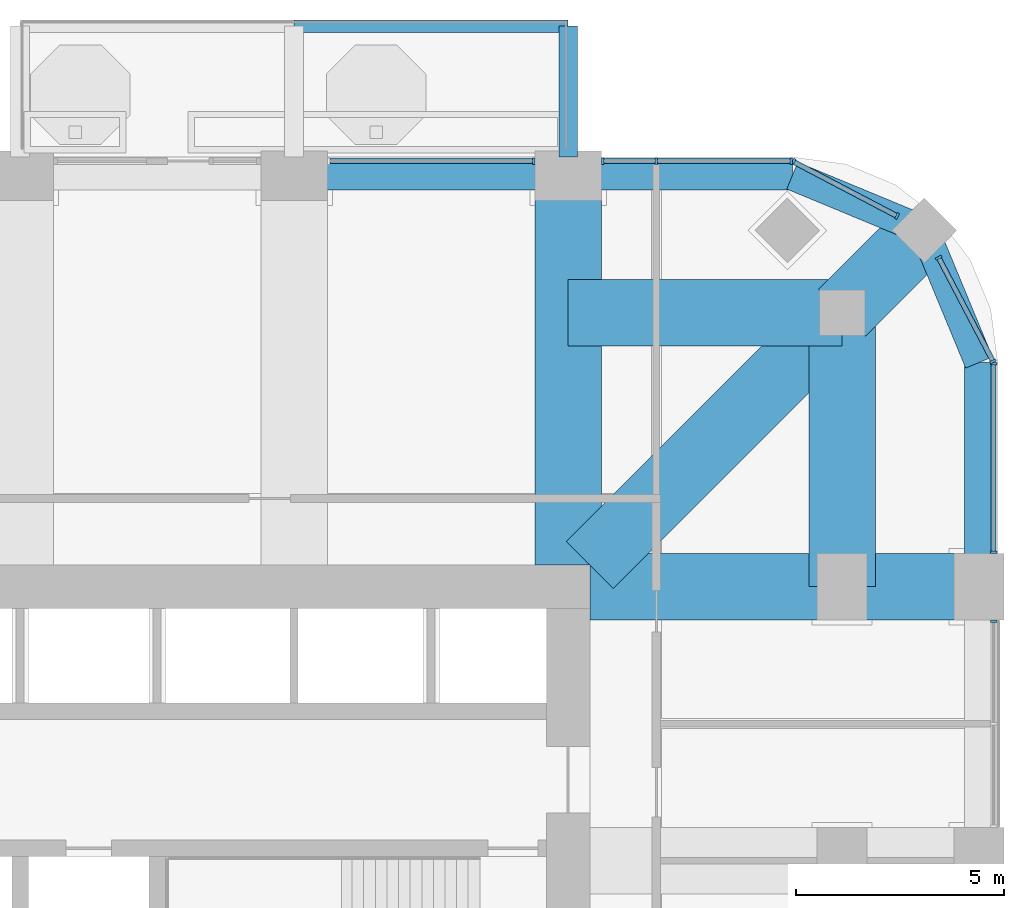
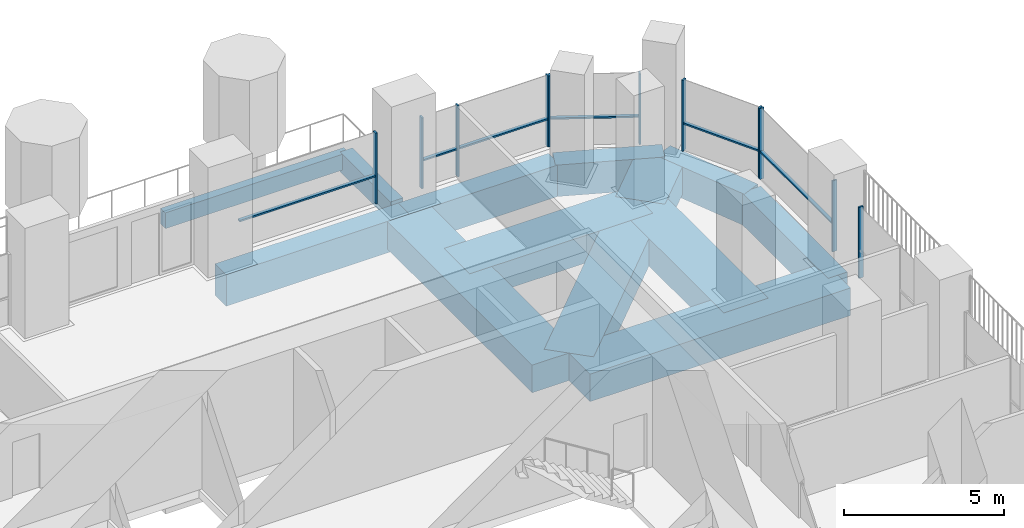
# One storey, part 7 of 19: 17 members, 13 beams, 6 elements without a shape of their own.
"""IFC4 building model written with IfcOpenShell, lengths in metres."""

from ifc_helpers import new_model, si_unit, direction, frame, origin, origin_2d, place, context, subcontext, project, spatial, rectangle, extrude, material, material_profile, profile_set, type_object, element, aggregate, save


model = new_model("IFC4")

# Units and contexts
model_context = context("Model", 3, precision=1e-05, world=origin(), true_north=direction((0.0, 1.0)))
body_context = subcontext(model_context, "Body", "Model", "MODEL_VIEW")
ifc_project = project(units=[si_unit("LENGTHUNIT", "METRE"), si_unit("AREAUNIT", "SQUARE_METRE"), si_unit("VOLUMEUNIT", "CUBIC_METRE"), si_unit("PLANEANGLEUNIT", "RADIAN"), si_unit("MASSUNIT", "GRAM", prefix="KILO")], contexts=[model_context])

# Site, building, storey
site_placement = place(None, origin())
site = spatial("IfcSite", under=ifc_project, at=site_placement, CompositionType="ELEMENT")
building_placement = place(site_placement, origin())
building = spatial("IfcBuilding", under=site, at=building_placement, Name="Cobogo Forest Laboratory Tower", CompositionType="ELEMENT")
storey_placement = place(building_placement, frame((0.0, 0.0, 206.10009765625)))
storey = spatial("IfcBuildingStorey", under=building, at=storey_placement, Name="L47", CompositionType="ELEMENT", Elevation=206.10009765625)

# Beams
ifc_material_1 = material(Name="Concrete HA-40 (C40/50)", Category="concrete")
ifc_material_profile_1 = material_profile(ifc_material_1, rectangle(XDim=0.449951171875, YDim=0.75, at=origin_2d()), Name="RC 450x750")
ifc_profile_set_1 = profile_set([ifc_material_profile_1], Name="Concrete HA-40 (C40/50)")
beam_type_1 = type_object("IfcBeamType", Name="Balcony cantilever beam 450x750", PredefinedType="BEAM", material=ifc_profile_set_1)
beam_1_placement = place(storey_placement, frame((39.60009765625, 43.35009765625, -0.625), z_axis=(0.0, 1.0, 0.0), x_axis=(-1.0, 0.0, 0.0)))
element("IfcBeam", 1, at=beam_1_placement, inside=storey, type_object=beam_type_1, Name="CB1 BAL-N1-C3 L47", PredefinedType="BEAM", context=body_context, shape_type="SweptSolid", body=[
    extrude(rectangle(XDim=0.449951171875, YDim=0.75, at=origin_2d()), origin(), (0.0, 0.0, 1.0), 3.14990234375),
])
ifc_material_profile_2 = material_profile(ifc_material_1, rectangle(XDim=0.300048828125, YDim=0.60009765625, at=origin_2d()), Name="RC 300x600")
ifc_profile_set_2 = profile_set([ifc_material_profile_2], Name="Concrete HA-40 (C40/50)")
beam_type_2 = type_object("IfcBeamType", Name="Balcony edge beam 300x600", PredefinedType="BEAM", material=ifc_profile_set_2)
beam_2_placement = place(storey_placement, frame((33.0, 46.5, -0.550048828125), z_axis=(1.0, 0.0, 0.0), x_axis=(0.0, 1.0, 0.0)))
element("IfcBeam", 2, at=beam_2_placement, inside=storey, type_object=beam_type_2, Name="BB1 BAL-N1-T2 L47", PredefinedType="BEAM", context=body_context, shape_type="SweptSolid", body=[
    extrude(rectangle(XDim=0.300048828125, YDim=0.60009765625, at=origin_2d()), origin(), (0.0, 0.0, 1.0), 6.60009765625),
])
ifc_material_2 = material(Name="Concrete HA-50 (C50/60)", Category="concrete")
ifc_material_profile_3 = material_profile(ifc_material_2, rectangle(XDim=1.60009765625, YDim=1.050048828125, at=origin_2d()), Name="RC 1600x1050")
ifc_profile_set_3 = profile_set([ifc_material_profile_3], Name="Concrete HA-50 (C50/60)")
beam_type_3 = type_object("IfcBeamType", Name="Laboratory floor wide beam 1600x1050", PredefinedType="BEAM", material=ifc_profile_set_3)
for number, where, z_axis, x_axis, name in (
    (3, (39.60009765625, 33.52490234375, -0.8251953125), (0.0, 1.0, 0.0), (-1.0, 0.0, 0.0), "RB8 R-7-N L47"),
    (4, (40.125, 33.0, -0.8251953125), (1.0, 0.0, 0.0), (0.0, 1.0, 0.0), "RB8 R-F-E L47"),
):
    element("IfcBeam", number, at=place(storey_placement, frame(where, z_axis=z_axis, x_axis=x_axis)), inside=storey, type_object=beam_type_3, Name=name, PredefinedType="BEAM", context=body_context, shape_type="SweptSolid", body=[
        extrude(rectangle(XDim=1.60009765625, YDim=1.050048828125, at=origin_2d()), origin(), (0.0, 0.0, 1.0), 9.375),
    ])
beam_3_placement = place(storey_placement, frame((46.199951171875, 39.60009765625, -0.8251953125), z_axis=(0.0, -1.0, 0.0), x_axis=(1.0, 0.0, 0.0)))
element("IfcBeam", 5, at=beam_3_placement, inside=storey, type_object=beam_type_3, Name="RB8 G-NE-XC L47", PredefinedType="BEAM", context=body_context, shape_type="SweptSolid", body=[
    extrude(rectangle(XDim=1.60009765625, YDim=1.050048828125, at=origin_2d()), origin(), (0.0, 0.0, 1.0), 6.60009765625),
])
beam_4_placement = place(storey_placement, frame((46.199951171875, 39.60009765625, -0.8251953125), z_axis=(-1.0, 0.0, 0.0), x_axis=(0.0, -1.0, 0.0)))
element("IfcBeam", 6, at=beam_4_placement, inside=storey, type_object=beam_type_3, Name="RB8 G-NE-YC L47", PredefinedType="BEAM", context=body_context, shape_type="SweptSolid", body=[
    extrude(rectangle(XDim=1.60009765625, YDim=1.050048828125, at=origin_2d()), origin(), (0.0, 0.0, 1.0), 6.599853515625),
])
beam_5_placement = place(storey_placement, frame((48.181884765625, 41.58203125, -0.8251953125), z_axis=(-0.707106781187, -0.707106781187, 0.0), x_axis=(0.707106781187, -0.707106781187, 0.0)))
element("IfcBeam", 7, at=beam_5_placement, inside=storey, type_object=beam_type_3, Name="RB8 G-NE-D1 L47", PredefinedType="BEAM", context=body_context, shape_type="SweptSolid", body=[
    extrude(rectangle(XDim=1.60009765625, YDim=1.050048828125, at=origin_2d()), origin(), (0.0, 0.0, 1.0), 2.802978515625),
])
beam_6_placement = place(storey_placement, frame((46.199951171875, 39.60009765625, -0.8251953125), z_axis=(-0.707092572697, -0.70712098939, 0.0), x_axis=(0.70712098939, -0.707092572697, 0.0)))
element("IfcBeam", 8, at=beam_6_placement, inside=storey, type_object=beam_type_3, Name="RB8 G-NE-D2 L47", PredefinedType="BEAM", context=body_context, shape_type="SweptSolid", body=[
    extrude(rectangle(XDim=1.60009765625, YDim=1.050048828125, at=origin_2d()), origin(), (0.0, 0.0, 1.0), 8.591552734375),
])

# Curtain wall, member
ifc_material_3 = material(Name="Aluminium curtain wall", Category="aluminium")
curtain_wall_type = type_object("IfcCurtainWallType", Name="CW-2 unitised curtain wall, solar control glazing, laboratory floors zones C and D", PredefinedType="USERDEFINED", material=ifc_material_3)
curtain_wall_1_placement = place(storey_placement, origin())
curtain_wall_1 = element("IfcCurtainWall", 9, at=curtain_wall_1_placement, inside=storey, type_object=curtain_wall_type, Name="Curtain wall 12 L47", ObjectType="UNITISED CURTAIN WALL", PredefinedType="USERDEFINED")
ifc_material_4 = material(Name="Aluminium mullion", Category="aluminium")
ifc_material_profile_4 = material_profile(ifc_material_4, rectangle(XDim=0.06005859375, YDim=0.159912109375, at=origin_2d()), Name="AL 60x160")
ifc_profile_set_4 = profile_set([ifc_material_profile_4], Name="Aluminium mullion")
member_type_1 = type_object("IfcMemberType", Name="MU-1 aluminium mullion 60x160", PredefinedType="MULLION", material=ifc_profile_set_4)
member_1_placement = place(storey_placement, frame((49.85009765625, 32.169921875, 0.0), z_axis=(0.0, 0.0, 1.0), x_axis=(0.0, 1.0, 0.0)))
member_1 = element("IfcMember", 10, at=member_1_placement, type_object=member_type_1, Name="CW-2 mullion 3", PredefinedType="MULLION", context=body_context, shape_type="SweptSolid", body=[
    extrude(rectangle(XDim=0.06005859375, YDim=0.159912109375, at=origin_2d()), origin(), (0.0, 0.0, 1.0), 2.699951171875),
])
aggregate(curtain_wall_1, [member_1])

# Curtain wall, members
curtain_wall_2_placement = place(storey_placement, origin())
curtain_wall_2 = element("IfcCurtainWall", 11, at=curtain_wall_2_placement, inside=storey, type_object=curtain_wall_type, Name="Curtain wall 13 L47", ObjectType="UNITISED CURTAIN WALL", PredefinedType="USERDEFINED")
member_2_placement = place(storey_placement, frame((49.85009765625, 33.830078125, 0.0), z_axis=(0.0, 0.0, 1.0), x_axis=(0.0, 1.0, 0.0)))
member_2 = element("IfcMember", 12, at=member_2_placement, type_object=member_type_1, Name="CW-2 mullion 1", PredefinedType="MULLION", context=body_context, shape_type="SweptSolid", body=[
    extrude(rectangle(XDim=0.06005859375, YDim=0.159912109375, at=origin_2d()), origin(), (0.0, 0.0, 1.0), 2.699951171875),
])
member_3_placement = place(storey_placement, frame((49.85009765625, 38.3701171875, 0.0), z_axis=(0.0, 0.0, 1.0), x_axis=(0.0, 1.0, 0.0)))
member_3 = element("IfcMember", 13, at=member_3_placement, type_object=member_type_1, Name="CW-2 mullion 2", PredefinedType="MULLION", context=body_context, shape_type="SweptSolid", body=[
    extrude(rectangle(XDim=0.06005859375, YDim=0.159912109375, at=origin_2d()), origin(), (0.0, 0.0, 1.0), 2.699951171875),
])

curtain_wall_3_placement = place(storey_placement, origin())
curtain_wall_3 = element("IfcCurtainWall", 14, at=curtain_wall_3_placement, inside=storey, type_object=curtain_wall_type, Name="Curtain wall 14 L47", ObjectType="UNITISED CURTAIN WALL", PredefinedType="USERDEFINED")
member_4_placement = place(storey_placement, frame((49.836181640625, 38.426513671875, 0.0), z_axis=(0.0, 0.0, 1.0), x_axis=(-0.464283804832, 0.885686484356, 0.0)))
member_4 = element("IfcMember", 15, at=member_4_placement, type_object=member_type_1, Name="CW-2 mullion 1", PredefinedType="MULLION", context=body_context, shape_type="SweptSolid", body=[
    extrude(rectangle(XDim=0.06005859375, YDim=0.159912109375, at=origin_2d()), origin(), (0.0, 0.0, 1.0), 2.699951171875),
])
member_5_placement = place(storey_placement, frame((48.526611328125, 40.924560546875, 0.0), z_axis=(0.0, 0.0, 1.0), x_axis=(-0.464283804832, 0.885686484356, 0.0)))
member_5 = element("IfcMember", 16, at=member_5_placement, type_object=member_type_1, Name="CW-2 mullion 2", PredefinedType="MULLION", context=body_context, shape_type="SweptSolid", body=[
    extrude(rectangle(XDim=0.06005859375, YDim=0.159912109375, at=origin_2d()), origin(), (0.0, 0.0, 1.0), 2.699951171875),
])

curtain_wall_4_placement = place(storey_placement, origin())
curtain_wall_4 = element("IfcCurtainWall", 17, at=curtain_wall_4_placement, inside=storey, type_object=curtain_wall_type, Name="Curtain wall 15 L47", ObjectType="UNITISED CURTAIN WALL", PredefinedType="USERDEFINED")
member_6_placement = place(storey_placement, frame((47.5244140625, 41.9267578125, 0.0), z_axis=(0.0, 0.0, 1.0), x_axis=(-0.885686484356, 0.464283804832, 0.0)))
member_6 = element("IfcMember", 18, at=member_6_placement, type_object=member_type_1, Name="CW-2 mullion 1", PredefinedType="MULLION", context=body_context, shape_type="SweptSolid", body=[
    extrude(rectangle(XDim=0.06005859375, YDim=0.159912109375, at=origin_2d()), origin(), (0.0, 0.0, 1.0), 2.699951171875),
])
member_7_placement = place(storey_placement, frame((45.026611328125, 43.236083984375, 0.0), z_axis=(0.0, 0.0, 1.0), x_axis=(-0.885686484356, 0.464283804832, 0.0)))
member_7 = element("IfcMember", 19, at=member_7_placement, type_object=member_type_1, Name="CW-2 mullion 2", PredefinedType="MULLION", context=body_context, shape_type="SweptSolid", body=[
    extrude(rectangle(XDim=0.06005859375, YDim=0.159912109375, at=origin_2d()), origin(), (0.0, 0.0, 1.0), 2.699951171875),
])

curtain_wall_5_placement = place(storey_placement, origin())
curtain_wall_5 = element("IfcCurtainWall", 20, at=curtain_wall_5_placement, inside=storey, type_object=curtain_wall_type, Name="Curtain wall 16 L47", ObjectType="UNITISED CURTAIN WALL", PredefinedType="USERDEFINED")
member_8_placement = place(storey_placement, frame((44.969970703125, 43.25, 0.0), z_axis=(0.0, 0.0, 1.0), x_axis=(-1.0, 0.0, 0.0)))
member_8 = element("IfcMember", 21, at=member_8_placement, type_object=member_type_1, Name="CW-2 mullion 1", PredefinedType="MULLION", context=body_context, shape_type="SweptSolid", body=[
    extrude(rectangle(XDim=0.06005859375, YDim=0.159912109375, at=origin_2d()), origin(), (0.0, 0.0, 1.0), 2.699951171875),
])
member_9_placement = place(storey_placement, frame((41.72509765625, 43.25, 0.0), z_axis=(0.0, 0.0, 1.0), x_axis=(-1.0, 0.0, 0.0)))
member_9 = element("IfcMember", 22, at=member_9_placement, type_object=member_type_1, Name="CW-2 mullion 2", PredefinedType="MULLION", context=body_context, shape_type="SweptSolid", body=[
    extrude(rectangle(XDim=0.06005859375, YDim=0.159912109375, at=origin_2d()), origin(), (0.0, 0.0, 1.0), 2.699951171875),
])
member_10_placement = place(storey_placement, frame((40.429931640625, 43.25, 0.0), z_axis=(0.0, 0.0, 1.0), x_axis=(-1.0, 0.0, 0.0)))
member_10 = element("IfcMember", 23, at=member_10_placement, type_object=member_type_1, Name="CW-2 mullion 3", PredefinedType="MULLION", context=body_context, shape_type="SweptSolid", body=[
    extrude(rectangle(XDim=0.06005859375, YDim=0.159912109375, at=origin_2d()), origin(), (0.0, 0.0, 1.0), 2.699951171875),
])

# Curtain wall, member
curtain_wall_6_placement = place(storey_placement, origin())
curtain_wall_6 = element("IfcCurtainWall", 24, at=curtain_wall_6_placement, inside=storey, type_object=curtain_wall_type, Name="Curtain wall 17 L47", ObjectType="UNITISED CURTAIN WALL", PredefinedType="USERDEFINED")
member_11_placement = place(storey_placement, frame((38.77001953125, 43.25, 0.0), z_axis=(0.0, 0.0, 1.0), x_axis=(-1.0, 0.0, 0.0)))
member_11 = element("IfcMember", 25, at=member_11_placement, type_object=member_type_1, Name="CW-2 mullion 1", PredefinedType="MULLION", context=body_context, shape_type="SweptSolid", body=[
    extrude(rectangle(XDim=0.06005859375, YDim=0.159912109375, at=origin_2d()), origin(), (0.0, 0.0, 1.0), 2.699951171875),
])

# Beams
ifc_material_profile_5 = material_profile(ifc_material_1, rectangle(XDim=0.699951171875, YDim=1.199951171875, at=origin_2d()), Name="RC 700x1200")
ifc_profile_set_5 = profile_set([ifc_material_profile_5], Name="Concrete HA-40 (C40/50)")
beam_type_4 = type_object("IfcBeamType", Name="Perimeter edge beam 700x1200", PredefinedType="BEAM", material=ifc_profile_set_5)
beam_7_placement = place(storey_placement, frame((33.0, 42.89990234375, -0.900146484375), z_axis=(1.0, 0.0, 0.0), x_axis=(0.0, 1.0, 0.0)))
element("IfcBeam", 26, at=beam_7_placement, inside=storey, type_object=beam_type_4, Name="EB1 E-N4 L47", PredefinedType="BEAM", context=body_context, shape_type="SweptSolid", body=[
    extrude(rectangle(XDim=0.699951171875, YDim=1.199951171875, at=origin_2d()), origin(), (0.0, 0.0, 1.0), 6.60009765625),
])
beam_8_placement = place(storey_placement, frame((49.5, 33.0, -0.900146484375), z_axis=(0.0, 1.0, 0.0), x_axis=(-1.0, 0.0, 0.0)))
element("IfcBeam", 27, at=beam_8_placement, inside=storey, type_object=beam_type_4, Name="EB1 E-NEE1 L47", PredefinedType="BEAM", context=body_context, shape_type="SweptSolid", body=[
    extrude(rectangle(XDim=0.699951171875, YDim=1.199951171875, at=origin_2d()), origin(), (0.0, 0.0, 1.0), 5.39990234375),
])
beam_9_placement = place(storey_placement, frame((49.5, 38.39990234375, -0.900146484375), z_axis=(-0.382691928466, 0.923876013265, 0.0), x_axis=(-0.923876013265, -0.382691928466, 0.0)))
element("IfcBeam", 28, at=beam_9_placement, inside=storey, type_object=beam_type_4, Name="EB1 E-NEE2 L47", PredefinedType="BEAM", context=body_context, shape_type="SweptSolid", body=[
    extrude(rectangle(XDim=0.699951171875, YDim=1.199951171875, at=origin_2d()), origin(), (0.0, 0.0, 1.0), 3.4443359375),
])
beam_10_placement = place(storey_placement, frame((39.60009765625, 42.89990234375, -0.900146484375), z_axis=(1.0, 0.0, 0.0), x_axis=(0.0, 1.0, 0.0)))
element("IfcBeam", 29, at=beam_10_placement, inside=storey, type_object=beam_type_4, Name="EB1 E-NEN1 L47", PredefinedType="BEAM", context=body_context, shape_type="SweptSolid", body=[
    extrude(rectangle(XDim=0.699951171875, YDim=1.199951171875, at=origin_2d()), origin(), (0.0, 0.0, 1.0), 5.39990234375),
])
beam_11_placement = place(storey_placement, frame((45.0, 42.89990234375, -0.900146484375), z_axis=(0.923890694089, -0.382656484822, 0.0), x_axis=(0.382656484822, 0.923890694089, 0.0)))
element("IfcBeam", 30, at=beam_11_placement, inside=storey, type_object=beam_type_4, Name="EB1 E-NEN2 L47", PredefinedType="BEAM", context=body_context, shape_type="SweptSolid", body=[
    extrude(rectangle(XDim=0.699951171875, YDim=1.199951171875, at=origin_2d()), origin(), (0.0, 0.0, 1.0), 3.444091796875),
])

# Member
ifc_material_5 = material(Name="Aluminium transom", Category="aluminium")
ifc_material_profile_6 = material_profile(ifc_material_5, rectangle(XDim=0.1201171875, YDim=0.06005859375, at=origin_2d()), Name="AL 60x120")
ifc_profile_set_6 = profile_set([ifc_material_profile_6], Name="Aluminium transom")
member_type_2 = type_object("IfcMemberType", Name="TR-1 aluminium transom 60x120", PredefinedType="USERDEFINED", material=ifc_profile_set_6)
member_12_placement = place(storey_placement, frame((49.85009765625, 33.860107421875, 1.0498046875), z_axis=(0.0, 1.0, 0.0), x_axis=(-1.0, 0.0, 0.0)))
member_12 = element("IfcMember", 31, at=member_12_placement, type_object=member_type_2, Name="CW-2 transom 1.1", ObjectType="TRANSOM", PredefinedType="USERDEFINED", context=body_context, shape_type="SweptSolid", body=[
    extrude(rectangle(XDim=0.1201171875, YDim=0.06005859375, at=origin_2d()), origin(), (0.0, 0.0, 1.0), 4.47998046875),
])

aggregate(curtain_wall_2, [member_2, member_3, member_12])

member_13_placement = place(storey_placement, frame((49.822021484375, 38.453125, 1.0498046875), z_axis=(-0.464254846591, 0.88570166389, 0.0), x_axis=(-0.88570166389, -0.464254846591, 0.0)))
member_13 = element("IfcMember", 32, at=member_13_placement, type_object=member_type_2, Name="CW-2 transom 1.1", ObjectType="TRANSOM", PredefinedType="USERDEFINED", context=body_context, shape_type="SweptSolid", body=[
    extrude(rectangle(XDim=0.1201171875, YDim=0.06005859375, at=origin_2d()), origin(), (0.0, 0.0, 1.0), 2.76025390625),
])

aggregate(curtain_wall_3, [member_4, member_5, member_13])

member_14_placement = place(storey_placement, frame((47.497802734375, 41.940673828125, 1.0498046875), z_axis=(-0.885682598583, 0.464291217414, 0.0), x_axis=(-0.464291217414, -0.885682598583, 0.0)))
member_14 = element("IfcMember", 33, at=member_14_placement, type_object=member_type_2, Name="CW-2 transom 1.1", ObjectType="TRANSOM", PredefinedType="USERDEFINED", context=body_context, shape_type="SweptSolid", body=[
    extrude(rectangle(XDim=0.1201171875, YDim=0.06005859375, at=origin_2d()), origin(), (0.0, 0.0, 1.0), 2.760009765625),
])

aggregate(curtain_wall_4, [member_6, member_7, member_14])

member_15_placement = place(storey_placement, frame((44.93994140625, 43.25, 1.0498046875), z_axis=(-1.0, 0.0, 0.0), x_axis=(0.0, -1.0, 0.0)))
member_15 = element("IfcMember", 34, at=member_15_placement, type_object=member_type_2, Name="CW-2 transom 1.1", ObjectType="TRANSOM", PredefinedType="USERDEFINED", context=body_context, shape_type="SweptSolid", body=[
    extrude(rectangle(XDim=0.1201171875, YDim=0.06005859375, at=origin_2d()), origin(), (0.0, 0.0, 1.0), 3.18505859375),
])

member_16_placement = place(storey_placement, frame((41.695068359375, 43.25, 1.0498046875), z_axis=(-1.0, 0.0, 0.0), x_axis=(0.0, -1.0, 0.0)))
member_16 = element("IfcMember", 35, at=member_16_placement, type_object=member_type_2, Name="CW-2 transom 2.1", ObjectType="TRANSOM", PredefinedType="USERDEFINED", context=body_context, shape_type="SweptSolid", body=[
    extrude(rectangle(XDim=0.1201171875, YDim=0.06005859375, at=origin_2d()), origin(), (0.0, 0.0, 1.0), 1.235107421875),
])

aggregate(curtain_wall_5, [member_8, member_9, member_10, member_15, member_16])

member_17_placement = place(storey_placement, frame((38.739990234375, 43.25, 1.0498046875), z_axis=(-1.0, 0.0, 0.0), x_axis=(0.0, -1.0, 0.0)))
member_17 = element("IfcMember", 36, at=member_17_placement, type_object=member_type_2, Name="CW-2 transom 1.1", ObjectType="TRANSOM", PredefinedType="USERDEFINED", context=body_context, shape_type="SweptSolid", body=[
    extrude(rectangle(XDim=0.1201171875, YDim=0.06005859375, at=origin_2d()), origin(), (0.0, 0.0, 1.0), 4.8798828125),
])

aggregate(curtain_wall_6, [member_11, member_17])

save(model, "model.ifc")
